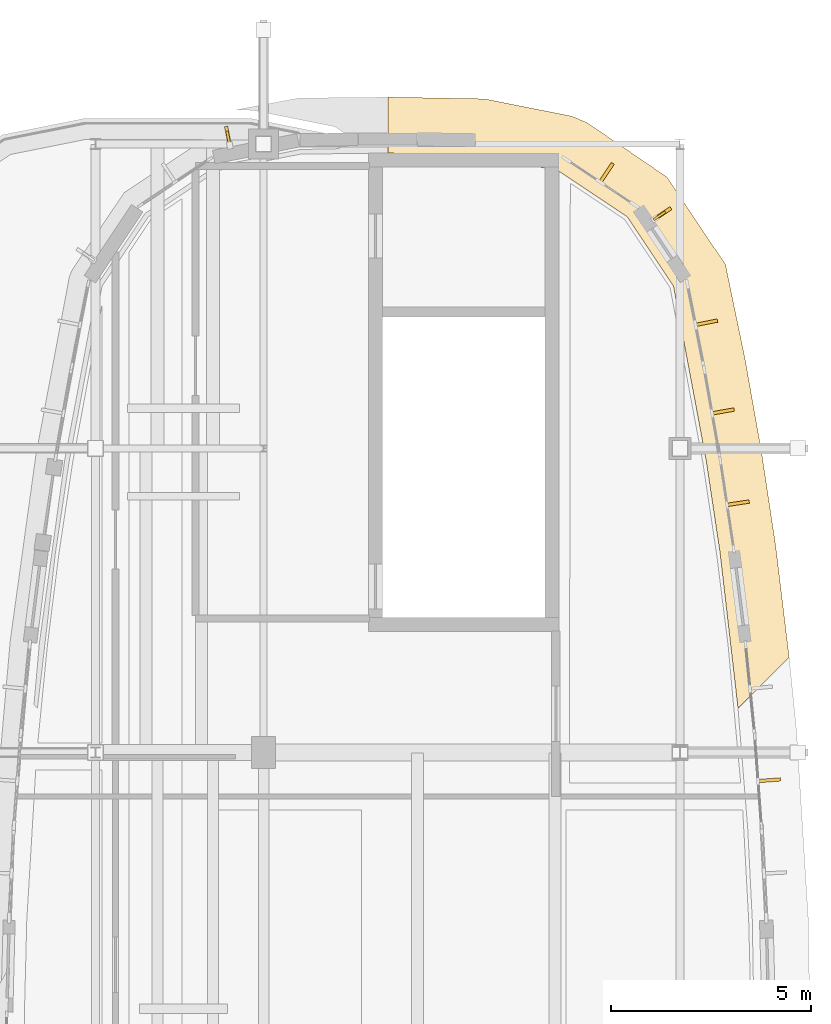
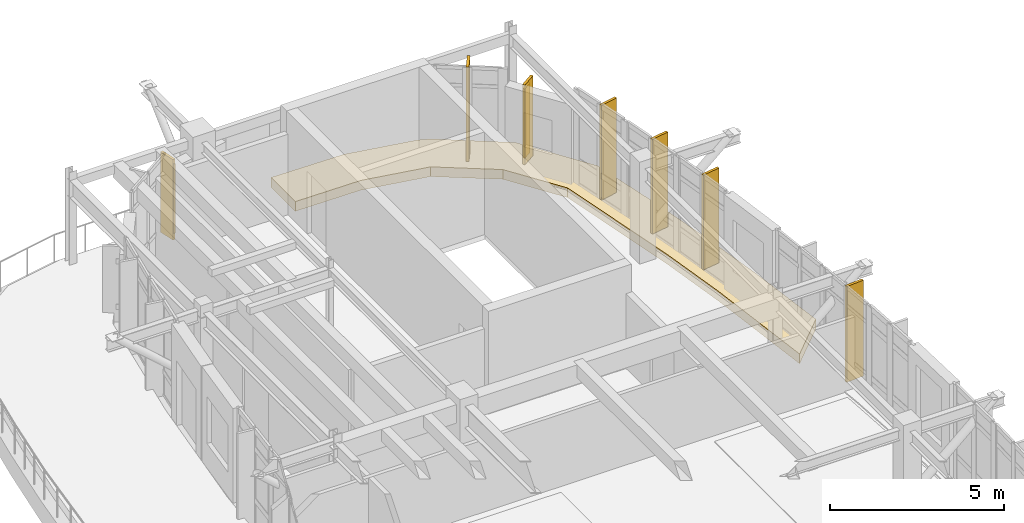
# One storey, part 20 of 20: 8 coverings, 2 shading devices.
"""IFC4 building model written with IfcOpenShell, lengths in metres."""

from ifc_helpers import new_model, si_unit, direction, frame, origin, origin_2d, place, context, subcontext, project, spatial, polyline, rectangle, outline, extrude, material, layer, layer_set, type_object, element, save


model = new_model("IFC4")

# Units and contexts
model_context = context("Model", 3, precision=1e-05, world=origin(), true_north=direction((0.0, 1.0)))
body_context = subcontext(model_context, "Body", "Model", "MODEL_VIEW")
ifc_project = project(units=[si_unit("LENGTHUNIT", "METRE"), si_unit("AREAUNIT", "SQUARE_METRE"), si_unit("VOLUMEUNIT", "CUBIC_METRE"), si_unit("PLANEANGLEUNIT", "RADIAN"), si_unit("MASSUNIT", "GRAM", prefix="KILO")], contexts=[model_context])

# Site, building, storey
site_placement = place(None, origin())
site = spatial("IfcSite", under=ifc_project, at=site_placement, CompositionType="ELEMENT")
building_placement = place(site_placement, origin())
building = spatial("IfcBuilding", under=site, at=building_placement, Name="Corveleigh Park Community Centre", CompositionType="ELEMENT")
storey_placement = place(building_placement, frame((0.0, 0.0, 19.800048828125)))
storey = spatial("IfcBuildingStorey", under=building, at=storey_placement, Name="L05", CompositionType="ELEMENT", Elevation=19.800048828125)

# Coverings
ifc_material_1 = material(Name="Warm buff ribbed architectural cladding", Category="masonry")
ifc_layer_1 = layer(ifc_material_1, 0.0849609375, Name="Warm buff ribbed architectural cladding", Category="masonry")
ifc_layer_set_1 = layer_set([ifc_layer_1], Name="Warm buff ribbed architectural cladding")
covering_type_1 = type_object("IfcCoveringType", Name="COV-CLD-BUF", PredefinedType="CLADDING", material=ifc_layer_set_1)
covering_1_placement = place(storey_placement, origin())
element("IfcCovering", 1, at=covering_1_placement, inside=storey, type_object=covering_type_1, Name="V4 L05 Brise-soleil blade 544", PredefinedType="CLADDING", context=body_context, shape_type="SweptSolid", body=[
    extrude(outline(polyline([(170.3310546875, 88.3291015625), (170.337890625, 88.243896484375), (170.916015625, 88.287109375), (170.909912109375, 88.3720703125), (170.3310546875, 88.3291015625)])), origin(), (0.0, 0.0, 1.0), 3.364013671875),
])
covering_2_placement = place(storey_placement, origin())
element("IfcCovering", 2, at=covering_2_placement, inside=storey, type_object=covering_type_1, Name="V4 L05 Brise-soleil blade 546", PredefinedType="CLADDING", context=body_context, shape_type="SweptSolid", body=[
    extrude(outline(polyline([(169.549072265625, 95.22607421875), (169.56201171875, 95.14208984375), (170.135986328125, 95.22900390625), (170.123046875, 95.31298828125), (169.549072265625, 95.22607421875)])), origin(), (0.0, 0.0, 1.0), 3.364013671875),
])
covering_3_placement = place(storey_placement, origin())
element("IfcCovering", 3, at=covering_3_placement, inside=storey, type_object=covering_type_1, Name="V4 L05 Brise-soleil blade 547", PredefinedType="CLADDING", context=body_context, shape_type="SweptSolid", body=[
    extrude(outline(polyline([(169.174072265625, 97.510986328125), (169.18896484375, 97.427001953125), (169.760009765625, 97.528076171875), (169.7451171875, 97.612060546875), (169.174072265625, 97.510986328125)])), origin(), (0.0, 0.0, 1.0), 3.364013671875),
])
covering_4_placement = place(storey_placement, origin())
element("IfcCovering", 4, at=covering_4_placement, inside=storey, type_object=covering_type_1, Name="V4 L05 Brise-soleil blade 548", PredefinedType="CLADDING", context=body_context, shape_type="SweptSolid", body=[
    extrude(outline(polyline([(168.759033203125, 99.719970703125), (168.77587890625, 99.636962890625), (169.344970703125, 99.75), (169.327880859375, 99.8330078125), (168.759033203125, 99.719970703125)])), origin(), (0.0, 0.0, 1.0), 3.364013671875),
])
covering_5_placement = place(storey_placement, origin())
element("IfcCovering", 5, at=covering_5_placement, inside=storey, type_object=covering_type_1, Name="V4 L05 Brise-soleil blade 549", PredefinedType="CLADDING", context=body_context, shape_type="SweptSolid", body=[
    extrude(outline(polyline([(167.7060546875, 102.339111328125), (167.7529296875, 102.26806640625), (168.197998046875, 102.56494140625), (168.15087890625, 102.635986328125), (167.7060546875, 102.339111328125)])), origin(), (0.0, 0.0, 1.0), 2.83984375),
])
covering_6_placement = place(storey_placement, origin())
element("IfcCovering", 6, at=covering_6_placement, inside=storey, type_object=covering_type_1, Name="V4 L05 Brise-soleil blade 550", PredefinedType="CLADDING", context=body_context, shape_type="SweptSolid", body=[
    extrude(outline(polyline([(166.364990234375, 103.257080078125), (166.43603515625, 103.2099609375), (166.758056640625, 103.693115234375), (166.68701171875, 103.739990234375), (166.364990234375, 103.257080078125)])), origin(), (0.0, 0.0, 1.0), 3.364013671875),
])
covering_7_placement = place(storey_placement, origin())
element("IfcCovering", 7, at=covering_7_placement, inside=storey, type_object=covering_type_1, Name="V4 L05 Brise-soleil blade 551", PredefinedType="CLADDING", context=body_context, shape_type="SweptSolid", body=[
    extrude(outline(polyline([(157.125, 104.10693359375), (157.2080078125, 104.1240234375), (157.10400390625, 104.64892578125), (157.02001953125, 104.632080078125), (157.125, 104.10693359375)])), origin(), (0.0, 0.0, 1.0), 2.824951171875),
])
ifc_material_2 = material(Name="White architectural fascia cladding", Category="masonry")
ifc_layer_2 = layer(ifc_material_2, 0.074951171875, Name="White architectural fascia cladding", Category="masonry")
ifc_layer_set_2 = layer_set([ifc_layer_2], Name="White architectural fascia cladding")
covering_type_2 = type_object("IfcCoveringType", Name="COV-CLD-WHT", PredefinedType="CLADDING", material=ifc_layer_set_2)
covering_8_placement = place(storey_placement, frame((0.0, 0.0, -0.300048828125)))
element("IfcCovering", 8, at=covering_8_placement, inside=storey, type_object=covering_type_2, Name="V4 L05 Horizontal Sun-Hood 2", PredefinedType="CLADDING", context=body_context, shape_type="SweptSolid", body=[
    extrude(outline(polyline([(161.112060546875, 105.373046875), (163.51708984375, 105.330078125), (165.694091796875, 104.89697265625), (166.072021484375, 104.739990234375), (168.075927734375, 103.3759765625), (169.537109375, 101.19091796875), (170.030029296875, 98.81689453125), (170.44091796875, 96.488037109375), (170.7900390625, 94.174072265625), (171.1279296875, 91.387939453125), (169.85009765625, 90.10791015625), (169.40087890625, 93.9951171875), (169.05810546875, 96.27490234375), (168.237060546875, 100.652099609375), (167.08203125, 102.382080078125), (165.35205078125, 103.537109375), (163.27490234375, 103.950927734375), (161.111083984375, 103.972900390625), (161.112060546875, 105.373046875)])), origin(), (0.0, 0.0, 1.0), 0.340087890625),
])

# Shading devices
ifc_material_3 = material(Name="Terracotta-anodised aluminium fin", Category="masonry")
shading_device_type_1 = type_object("IfcShadingDeviceType", Name="SHD-FIN-TER-350", PredefinedType="USERDEFINED", material=ifc_material_3)
shading_device_1_placement = place(storey_placement, frame((167.886962890625, 102.408935546875, 0.25), z_axis=(0.0, 0.0, 1.0), x_axis=(0.831544296886, 0.555458443376, 0.0)))
element("IfcShadingDevice", 9, at=shading_device_1_placement, inside=storey, type_object=shading_device_type_1, Name="Terracotta brise-soleil fin 125", ObjectType="FIN", PredefinedType="USERDEFINED", context=body_context, shape_type="SweptSolid", body=[
    extrude(rectangle(XDim=0.35009765625, YDim=0.06005859375, at=origin_2d()), origin(), (0.0, 0.0, 1.0), 2.43994140625),
])
shading_device_type_2 = type_object("IfcShadingDeviceType", Name="SHD-FIN-TER-450", PredefinedType="USERDEFINED", material=ifc_material_3)
shading_device_2_placement = place(storey_placement, frame((157.12890625, 104.302001953125, 0.25), z_axis=(0.0, 0.0, 1.0), x_axis=(-0.194863866686, 0.980830297993, 0.0)))
element("IfcShadingDevice", 10, at=shading_device_2_placement, inside=storey, type_object=shading_device_type_2, Name="Terracotta brise-soleil fin 126", ObjectType="FIN", PredefinedType="USERDEFINED", context=body_context, shape_type="SweptSolid", body=[
    extrude(rectangle(XDim=0.449951171875, YDim=0.06494140625, at=origin_2d()), origin(), (0.0, 0.0, 1.0), 2.425048828125),
])

save(model, "model.ifc")
